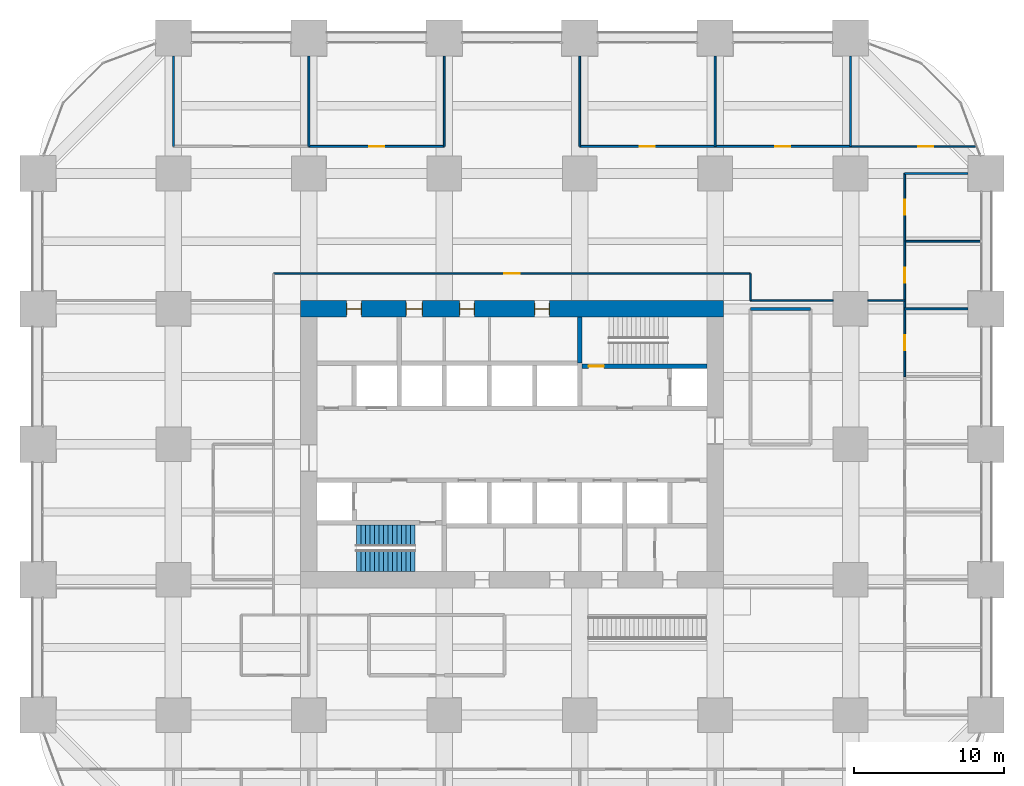
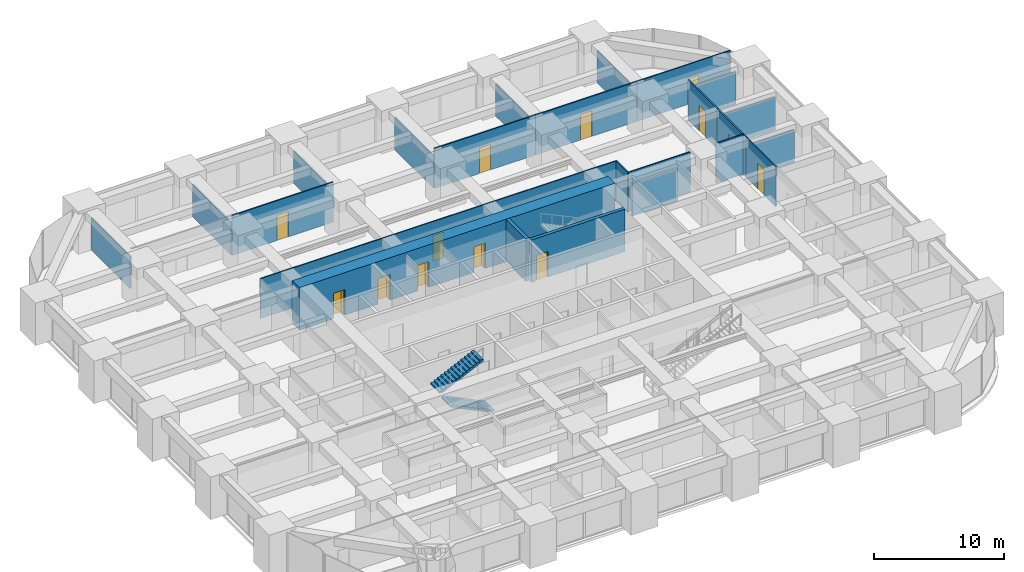
# One storey, part 42 of 45: 24 walls, 13 doors, 2 stair flights, 13 openings, 1 element without a shape of its own.
"""IFC4 building model written with IfcOpenShell, lengths in metres."""

import ifcopenshell
import ifcopenshell.guid

model = None  # the IFC model being written
_history = None  # IfcOwnerHistory: only IFC2X3 demands one
_inside = {}  # id of a spatial element -> (the spatial element, [elements in it])
_under = {}  # id of a project, library or spatial element -> (it, [spatial elements below it])
_declared = {}  # id of a project -> (the project, [libraries it declares])
_typed = {}  # id of a type object -> (the type object, [elements of that type])
_made_of = {}  # id of a material, layer set ... -> (it, [elements and type objects made of it])


def new_model(schema):
    """Start an empty IFC model of exactly this schema.

    Asked for "IFC4X3", IfcOpenShell would pick the latest addendum, in which some entities
    have other attributes; the version numbers below select the first issue.
    IFC2X3 requires an IfcOwnerHistory on every rooted entity: one is made here for all.
    """
    global model, _history
    if schema == "IFC4X3":
        model = ifcopenshell.file(schema_version=(4, 3, 0, 0))
    else:
        model = ifcopenshell.file(schema=schema)
    _inside.clear()
    _under.clear()
    _declared.clear()
    _typed.clear()
    _made_of.clear()
    _history = None
    if model.schema == "IFC2X3":
        org = make("IfcOrganization", Name="unknown")
        user = make(
            "IfcPersonAndOrganization",
            ThePerson=make("IfcPerson", FamilyName="unknown"),
            TheOrganization=org,
        )
        app = make(
            "IfcApplication",
            ApplicationDeveloper=org,
            Version="unknown",
            ApplicationFullName="unknown",
            ApplicationIdentifier="unknown",
        )
        _history = make(
            "IfcOwnerHistory",
            OwningUser=user,
            OwningApplication=app,
            ChangeAction="ADDED",
            CreationDate=0,
        )
    return model


def make(cls, **values):
    """One entity of the class cls with the attributes given. An attribute that is None is left unset."""
    return model.create_entity(
        cls, **{name: value for name, value in values.items() if value is not None}
    )


def rooted(cls, **values):
    """An entity with a GlobalId (a new one), such as an element, a storey or a relation."""
    return make(cls, GlobalId=ifcopenshell.guid.new(), OwnerHistory=_history, **values)


def si_unit(unit_type, name, prefix=None):
    """IfcSIUnit, for example si_unit("LENGTHUNIT", "METRE", prefix="MILLI")."""
    return make("IfcSIUnit", UnitType=unit_type, Prefix=prefix, Name=name)


def assignment(units):
    """IfcUnitAssignment: the units of a project."""
    return None if units is None else make("IfcUnitAssignment", Units=units)


def point(xyz):
    """IfcCartesianPoint."""
    return None if xyz is None else make("IfcCartesianPoint", Coordinates=xyz)


def direction(xyz):
    """IfcDirection."""
    return None if xyz is None else make("IfcDirection", DirectionRatios=xyz)


def frame(location, z_axis=None, x_axis=None):
    """IfcAxis2Placement3D, a coordinate frame: its origin and axes. An axis left out is left unset."""
    return make(
        "IfcAxis2Placement3D",
        Location=point(location),
        Axis=direction(z_axis),
        RefDirection=direction(x_axis),
    )


def frame_2d(location, x_axis=None):
    """IfcAxis2Placement2D, a coordinate frame in the plane: its origin and x axis."""
    return make(
        "IfcAxis2Placement2D", Location=point(location), RefDirection=direction(x_axis)
    )


def origin():
    """The frame at (0, 0, 0) with its axes left unset."""
    return frame((0.0, 0.0, 0.0))


def place(relative_to, where):
    """IfcLocalPlacement: puts the frame where relative to a parent placement (None: the world)."""
    return make(
        "IfcLocalPlacement", PlacementRelTo=relative_to, RelativePlacement=where
    )


def context(
    kind, dimensions, precision=None, world=None, true_north=None, identifier=None
):
    """IfcGeometricRepresentationContext, for example the 3D "Model" context."""
    return make(
        "IfcGeometricRepresentationContext",
        ContextIdentifier=identifier,
        ContextType=kind,
        CoordinateSpaceDimension=dimensions,
        Precision=precision,
        WorldCoordinateSystem=world,
        TrueNorth=true_north,
    )


def subcontext(parent, identifier, kind, view, scale=None):
    """IfcGeometricRepresentationSubContext, for example "Body" below "Model"."""
    return make(
        "IfcGeometricRepresentationSubContext",
        ContextIdentifier=identifier,
        ContextType=kind,
        ParentContext=parent,
        TargetScale=scale,
        TargetView=view,
    )


def project(units=None, contexts=None):
    """IfcProject with its units and contexts."""
    return rooted(
        "IfcProject",
        Name="project",
        RepresentationContexts=contexts,
        UnitsInContext=assignment(units),
    )


def spatial(cls, under=None, at=None, **own):
    """A site, building, storey or space (cls), placed at a placement, below another one or the project."""
    s = rooted(cls, ObjectPlacement=at, **own)
    if under is not None:
        _under.setdefault(under.id(), (under, []))[1].append(s)
    return s


def polyline(points):
    """IfcPolyline through the points."""
    return make("IfcPolyline", Points=[point(p) for p in points])


def profile(cls, at=None, kind="AREA", **sizes):
    """A parametric profile (cls). Its sizes go by their IFC names, for example OverallWidth=200.0."""
    return make(cls, ProfileType=kind, Position=at, **sizes)


def rectangle(**sizes):
    """IfcRectangleProfileDef."""
    return profile("IfcRectangleProfileDef", **sizes)


def outline(outer, holes=None, kind="AREA"):
    """IfcArbitraryClosedProfileDef: a profile drawn as a closed curve; with holes, ...WithVoids."""
    if holes is None:
        return make("IfcArbitraryClosedProfileDef", ProfileType=kind, OuterCurve=outer)
    return make(
        "IfcArbitraryProfileDefWithVoids",
        ProfileType=kind,
        OuterCurve=outer,
        InnerCurves=holes,
    )


def extrude(swept, where, along, depth):
    """IfcExtrudedAreaSolid: the profile swept, set in the frame where, extruded along a direction by depth."""
    return make(
        "IfcExtrudedAreaSolid",
        SweptArea=swept,
        Position=where,
        ExtrudedDirection=direction(along),
        Depth=depth,
    )


def shape(context_of_items, identifier, shape_type, items):
    """IfcShapeRepresentation: the items that make up one representation, for example the "Body"."""
    return make(
        "IfcShapeRepresentation",
        ContextOfItems=context_of_items,
        RepresentationIdentifier=identifier,
        RepresentationType=shape_type,
        Items=items,
    )


def material(Name=None, Category=None):
    """IfcMaterial."""
    return make("IfcMaterial", Name=Name, Category=Category)


def layer(
    of_material, thickness, ventilated=None, Name=None, Category=None, Priority=None
):
    """IfcMaterialLayer: one layer of a wall or slab, of a material (None: an air gap)."""
    return make(
        "IfcMaterialLayer",
        Material=of_material,
        LayerThickness=thickness,
        IsVentilated=ventilated,
        Name=Name,
        Category=Category,
        Priority=Priority,
    )


def layer_set(layers, Name=None):
    """IfcMaterialLayerSet."""
    return make("IfcMaterialLayerSet", MaterialLayers=layers, LayerSetName=Name)


def made_of(thing, what):
    """Note that an element or type object is made of a material, layer set ...; save() writes the relation."""
    if what is not None:
        _made_of.setdefault(what.id(), (what, []))[1].append(thing)
    return thing


def type_object(cls, material=None, **own):
    """A type object (cls), such as IfcWallType, which elements share."""
    return made_of(rooted(cls, **own), material)


def element(
    cls,
    number,
    at=None,
    inside=None,
    cuts=None,
    type_object=None,
    material=None,
    context=None,
    identifier="Body",
    shape_type=None,
    held_by="IfcProductDefinitionShape",
    body=None,
    shapes=None,
    **own,
):
    """One element of the class cls, such as IfcWall. Its Tag is "e" and its number.

    at: its placement. inside: the storey or other place that contains it. cuts: it is an
    opening in that element (IfcRelVoidsElement). A single representation is given by context,
    identifier, shape_type and body (its items); several are given by shapes. held_by: the class
    of the entity that holds the representations. save() writes the other relations.
    """
    e = rooted(cls, Tag="e%d" % number, ObjectPlacement=at, **own)
    if body is not None:
        shapes = [shape(context, identifier, shape_type, body)]
    if shapes is not None:
        e.Representation = make(held_by, Representations=shapes)
    if inside is not None:
        _inside.setdefault(inside.id(), (inside, []))[1].append(e)
    if cuts is not None:
        rooted(
            "IfcRelVoidsElement", RelatingBuildingElement=cuts, RelatedOpeningElement=e
        )
    if type_object is not None:
        _typed.setdefault(type_object.id(), (type_object, []))[1].append(e)
    return made_of(e, material)


def fill(opening, filler):
    """IfcRelFillsElement: the door or window that sits in an opening."""
    return rooted(
        "IfcRelFillsElement",
        RelatingOpeningElement=opening,
        RelatedBuildingElement=filler,
    )


def aggregate(whole, parts):
    """IfcRelAggregates: a whole, such as a stair, and the parts it consists of."""
    return rooted("IfcRelAggregates", RelatingObject=whole, RelatedObjects=parts)


def save(model, path):
    """Write the relations noted so far, then the file.

    IfcRelAggregates (storeys below a building ...), IfcRelContainedInSpatialStructure (elements
    in a storey), IfcRelDefinesByType, IfcRelAssociatesMaterial and IfcRelDeclares: one each for
    every whole, place, type object, material and project.
    """
    for whole, parts in _under.values():
        aggregate(whole, parts)
    for where, things in _inside.values():
        rooted(
            "IfcRelContainedInSpatialStructure",
            RelatedElements=things,
            RelatingStructure=where,
        )
    for kind, things in _typed.values():
        rooted("IfcRelDefinesByType", RelatedObjects=things, RelatingType=kind)
    for what, things in _made_of.values():
        rooted("IfcRelAssociatesMaterial", RelatedObjects=things, RelatingMaterial=what)
    for by, libraries in _declared.values():
        rooted("IfcRelDeclares", RelatingContext=by, RelatedDefinitions=libraries)
    model.write(path)


model = new_model("IFC4")

# Units and contexts
model_context = context("Model", 3, precision=1e-05, world=origin(), true_north=direction((0.0, 1.0)))
body_context = subcontext(model_context, "Body", "Model", "MODEL_VIEW")
ifc_project = project(units=[si_unit("LENGTHUNIT", "METRE"), si_unit("AREAUNIT", "SQUARE_METRE"), si_unit("VOLUMEUNIT", "CUBIC_METRE"), si_unit("PLANEANGLEUNIT", "RADIAN"), si_unit("MASSUNIT", "GRAM", prefix="KILO")], contexts=[model_context])

# Site, building, storey
site_placement = place(None, origin())
site = spatial("IfcSite", under=ifc_project, at=site_placement, CompositionType="ELEMENT")
building_placement = place(site_placement, origin())
building = spatial("IfcBuilding", under=site, at=building_placement, Name="Zorevar Civic Tower", CompositionType="ELEMENT")
storey_placement = place(building_placement, frame((0.0, 0.0, 23.800048828125)))
storey = spatial("IfcBuildingStorey", under=building, at=storey_placement, Name="L05", CompositionType="ELEMENT", Elevation=23.800048828125)

# Wall
ifc_material_1 = material(Name="Concrete blockwork", Category="masonry")
ifc_layer_1 = layer(ifc_material_1, 0.199951171875)
ifc_layer_set_1 = layer_set([ifc_layer_1], Name="Blockwork wall 200")
wall_type_1 = type_object("IfcWallType", Name="Blockwork wall 200", PredefinedType="SOLIDWALL", material=ifc_layer_set_1)
wall_1_placement = place(storey_placement, frame((47.35009765625, 36.0, 0.0), z_axis=(0.0, 0.0, 1.0), x_axis=(1.0, 0.0, 0.0)))
element("IfcWall", 1, at=wall_1_placement, inside=storey, type_object=wall_type_1, Name="Blockwork wall 200 L05", PredefinedType="SOLIDWALL", context=body_context, shape_type="SweptSolid", body=[
    extrude(rectangle(XDim=4.0, YDim=0.199951171875, at=frame_2d((2.0, 0.0))), origin(), (0.0, 0.0, 1.0), 3.050048828125),
])

# Wall, openings, doors
ifc_material_2 = material(Name="Concrete C50/60", Category="concrete")
ifc_layer_2 = layer(ifc_material_2, 1.10009765625)
ifc_layer_set_2 = layer_set([ifc_layer_2], Name="Core wall 1100")
wall_type_2 = type_object("IfcWallType", Name="Core wall 1100", PredefinedType="SHEAR", material=ifc_layer_set_2)
wall_2_placement = place(storey_placement, frame((45.550048828125, 36.0, 0.0), z_axis=(0.0, 0.0, 1.0), x_axis=(-1.0, 0.0, 0.0)))
wall_2 = element("IfcWall", 2, at=wall_2_placement, inside=storey, type_object=wall_type_2, Name="Core wall N L05", PredefinedType="SHEAR", context=body_context, shape_type="SweptSolid", body=[
    extrude(rectangle(XDim=28.10009765625, YDim=1.10009765625, at=frame_2d((14.050048828125, 0.0))), origin(), (0.0, 0.0, 1.0), 4.0),
])
opening_1_placement = place(wall_2_placement, frame((11.550048828125, 0.0, 0.0)))
opening_1 = element("IfcOpeningElement", 3, at=opening_1_placement, cuts=wall_2, Name="Opening L05.07", PredefinedType="OPENING", context=body_context, shape_type="SweptSolid", body=[
    extrude(rectangle(XDim=1.0, YDim=2.39990234375, at=frame_2d((0.5, 1.199951171875))), frame((0.0, 0.56005859375, 0.0), z_axis=(0.0, -1.0, 0.0), x_axis=(1.0, 0.0, 0.0)), (0.0, 0.0, 1.0), 1.1201171875),
])
opening_2_placement = place(wall_2_placement, frame((16.550048828125, 0.0, 0.0)))
opening_2 = element("IfcOpeningElement", 4, at=opening_2_placement, cuts=wall_2, Name="Opening L05.08", PredefinedType="OPENING", context=body_context, shape_type="SweptSolid", body=[
    extrude(rectangle(XDim=1.0, YDim=2.39990234375, at=frame_2d((0.5, 1.199951171875))), frame((0.0, 0.56005859375, 0.0), z_axis=(0.0, -1.0, 0.0), x_axis=(1.0, 0.0, 0.0)), (0.0, 0.0, 1.0), 1.1201171875),
])
opening_3_placement = place(wall_2_placement, frame((20.0, 0.0, 0.0)))
opening_3 = element("IfcOpeningElement", 5, at=opening_3_placement, cuts=wall_2, Name="Opening L05.09", PredefinedType="OPENING", context=body_context, shape_type="SweptSolid", body=[
    extrude(rectangle(XDim=1.10009765625, YDim=2.39990234375, at=frame_2d((0.550048828125, 1.199951171875))), frame((0.0, 0.56005859375, 0.0), z_axis=(0.0, -1.0, 0.0), x_axis=(1.0, 0.0, 0.0)), (0.0, 0.0, 1.0), 1.1201171875),
])
opening_4_placement = place(wall_2_placement, frame((24.050048828125, 0.0, 0.0)))
opening_4 = element("IfcOpeningElement", 6, at=opening_4_placement, cuts=wall_2, Name="Opening L05.10", PredefinedType="OPENING", context=body_context, shape_type="SweptSolid", body=[
    extrude(rectangle(XDim=1.0, YDim=2.39990234375, at=frame_2d((0.5, 1.199951171875))), frame((0.0, 0.56005859375, 0.0), z_axis=(0.0, -1.0, 0.0), x_axis=(1.0, 0.0, 0.0)), (0.0, 0.0, 1.0), 1.1201171875),
])
ifc_material_3 = material(Name="Timber door set", Category="wood")
door_type_1 = type_object("IfcDoorType", Name="Door D1 1000x2400", OperationType="SINGLE_SWING_LEFT", PredefinedType="DOOR", material=ifc_material_3)
door_1_placement = place(opening_1_placement, origin())
door_1 = element("IfcDoor", 7, at=door_1_placement, inside=storey, type_object=door_type_1, Name="Door L05 06", OperationType="SINGLE_SWING_RIGHT", OverallHeight=2.39990234375, OverallWidth=1.0, PredefinedType="DOOR", context=body_context, shape_type="SweptSolid", body=[
    extrude(rectangle(XDim=1.0, YDim=2.39990234375, at=frame_2d((0.5, 1.199951171875))), frame((0.0, 0.02490234375, 0.0), z_axis=(0.0, -1.0, 0.0), x_axis=(1.0, 0.0, 0.0)), (0.0, 0.0, 1.0), 0.050048828125),
    extrude(rectangle(XDim=0.04, YDim=2.39990234375, at=frame_2d((0.02001953125, 1.199951171875))), frame((0.0, 0.39990234375, 0.0), z_axis=(0.0, -1.0, 0.0), x_axis=(1.0, 0.0, 0.0)), (0.0, 0.0, 1.0), 0.800048828125),
    extrude(rectangle(XDim=0.04, YDim=2.39990234375, at=frame_2d((0.97998046875, 1.199951171875))), frame((0.0, 0.39990234375, 0.0), z_axis=(0.0, -1.0, 0.0), x_axis=(1.0, 0.0, 0.0)), (0.0, 0.0, 1.0), 0.800048828125),
    extrude(rectangle(XDim=1.0, YDim=0.04, at=frame_2d((0.5, 2.3798828125))), frame((0.0, 0.39990234375, 0.0), z_axis=(0.0, -1.0, 0.0), x_axis=(1.0, 0.0, 0.0)), (0.0, 0.0, 1.0), 0.800048828125),
])
fill(opening_1, door_1)
door_2_placement = place(opening_2_placement, origin())
door_2 = element("IfcDoor", 8, at=door_2_placement, inside=storey, type_object=door_type_1, Name="Door L05 07", OperationType="SINGLE_SWING_LEFT", OverallHeight=2.39990234375, OverallWidth=1.0, PredefinedType="DOOR", context=body_context, shape_type="SweptSolid", body=[
    extrude(rectangle(XDim=1.0, YDim=2.39990234375, at=frame_2d((0.5, 1.199951171875))), frame((0.0, 0.02490234375, 0.0), z_axis=(0.0, -1.0, 0.0), x_axis=(1.0, 0.0, 0.0)), (0.0, 0.0, 1.0), 0.050048828125),
    extrude(rectangle(XDim=0.04, YDim=2.39990234375, at=frame_2d((0.02001953125, 1.199951171875))), frame((0.0, 0.39990234375, 0.0), z_axis=(0.0, -1.0, 0.0), x_axis=(1.0, 0.0, 0.0)), (0.0, 0.0, 1.0), 0.800048828125),
    extrude(rectangle(XDim=0.04, YDim=2.39990234375, at=frame_2d((0.97998046875, 1.199951171875))), frame((0.0, 0.39990234375, 0.0), z_axis=(0.0, -1.0, 0.0), x_axis=(1.0, 0.0, 0.0)), (0.0, 0.0, 1.0), 0.800048828125),
    extrude(rectangle(XDim=1.0, YDim=0.04, at=frame_2d((0.5, 2.3798828125))), frame((0.0, 0.39990234375, 0.0), z_axis=(0.0, -1.0, 0.0), x_axis=(1.0, 0.0, 0.0)), (0.0, 0.0, 1.0), 0.800048828125),
])
fill(opening_2, door_2)
door_3_placement = place(opening_4_placement, origin())
door_3 = element("IfcDoor", 9, at=door_3_placement, inside=storey, type_object=door_type_1, Name="Door L05 09", OperationType="SINGLE_SWING_LEFT", OverallHeight=2.39990234375, OverallWidth=1.0, PredefinedType="DOOR", context=body_context, shape_type="SweptSolid", body=[
    extrude(rectangle(XDim=1.0, YDim=2.39990234375, at=frame_2d((0.5, 1.199951171875))), frame((0.0, 0.02490234375, 0.0), z_axis=(0.0, -1.0, 0.0), x_axis=(1.0, 0.0, 0.0)), (0.0, 0.0, 1.0), 0.050048828125),
    extrude(rectangle(XDim=0.04, YDim=2.39990234375, at=frame_2d((0.02001953125, 1.199951171875))), frame((0.0, 0.39990234375, 0.0), z_axis=(0.0, -1.0, 0.0), x_axis=(1.0, 0.0, 0.0)), (0.0, 0.0, 1.0), 0.800048828125),
    extrude(rectangle(XDim=0.04, YDim=2.39990234375, at=frame_2d((0.97998046875, 1.199951171875))), frame((0.0, 0.39990234375, 0.0), z_axis=(0.0, -1.0, 0.0), x_axis=(1.0, 0.0, 0.0)), (0.0, 0.0, 1.0), 0.800048828125),
    extrude(rectangle(XDim=1.0, YDim=0.04, at=frame_2d((0.5, 2.3798828125))), frame((0.0, 0.39990234375, 0.0), z_axis=(0.0, -1.0, 0.0), x_axis=(1.0, 0.0, 0.0)), (0.0, 0.0, 1.0), 0.800048828125),
])
fill(opening_4, door_3)
ifc_material_4 = material(Name="Timber door set", Category="wood")
door_type_2 = type_object("IfcDoorType", Name="Door D5 1100x2400", OperationType="SINGLE_SWING_LEFT", PredefinedType="DOOR", material=ifc_material_4)
door_4_placement = place(opening_3_placement, origin())
door_4 = element("IfcDoor", 10, at=door_4_placement, inside=storey, type_object=door_type_2, Name="Door L05 08", OperationType="SINGLE_SWING_LEFT", OverallHeight=2.39990234375, OverallWidth=1.10009765625, PredefinedType="DOOR", context=body_context, shape_type="SweptSolid", body=[
    extrude(rectangle(XDim=1.10009765625, YDim=2.39990234375, at=frame_2d((0.550048828125, 1.199951171875))), frame((0.0, 0.02490234375, 0.0), z_axis=(0.0, -1.0, 0.0), x_axis=(1.0, 0.0, 0.0)), (0.0, 0.0, 1.0), 0.050048828125),
    extrude(rectangle(XDim=0.04, YDim=2.39990234375, at=frame_2d((0.02001953125, 1.199951171875))), frame((0.0, 0.43994140625, 0.0), z_axis=(0.0, -1.0, 0.0), x_axis=(1.0, 0.0, 0.0)), (0.0, 0.0, 1.0), 0.880126953125),
    extrude(rectangle(XDim=0.04, YDim=2.39990234375, at=frame_2d((1.080078125, 1.199951171875))), frame((0.0, 0.43994140625, 0.0), z_axis=(0.0, -1.0, 0.0), x_axis=(1.0, 0.0, 0.0)), (0.0, 0.0, 1.0), 0.880126953125),
    extrude(rectangle(XDim=1.10009765625, YDim=0.04, at=frame_2d((0.550048828125, 2.3798828125))), frame((0.0, 0.43994140625, 0.0), z_axis=(0.0, -1.0, 0.0), x_axis=(1.0, 0.0, 0.0)), (0.0, 0.0, 1.0), 0.880126953125),
])
fill(opening_3, door_4)

# Walls
ifc_material_5 = material(Name="Laminated glass in black aluminium frame", Category="aluminium")
ifc_layer_3 = layer(ifc_material_5, 0.10009765625)
ifc_layer_set_3 = layer_set([ifc_layer_3], Name="Glazed partition 100")
wall_type_3 = type_object("IfcWallType", Name="Glazed partition 100", PredefinedType="PARTITIONING", material=ifc_layer_set_3)
wall_3_placement = place(storey_placement, frame((47.35009765625, 36.550048828125, 0.0), z_axis=(0.0, 0.0, 1.0), x_axis=(1.0, 0.0, 0.0)))
element("IfcWall", 11, at=wall_3_placement, inside=storey, type_object=wall_type_3, Name="Glazed partition 100 L05", PredefinedType="PARTITIONING", context=body_context, shape_type="SweptSolid", body=[
    extrude(rectangle(XDim=5.5, YDim=0.10009765625, at=frame_2d((2.75, 0.0))), origin(), (0.0, 0.0, 1.0), 3.75),
])
wall_4_placement = place(storey_placement, frame((55.14990234375, 36.550048828125, 0.0), z_axis=(0.0, 0.0, 1.0), x_axis=(1.0, 0.0, 0.0)))
element("IfcWall", 12, at=wall_4_placement, inside=storey, type_object=wall_type_3, Name="Glazed partition 100 L05", PredefinedType="PARTITIONING", context=body_context, shape_type="SweptSolid", body=[
    extrude(rectangle(XDim=2.460205078125, YDim=0.10009765625, at=frame_2d((1.22998046875, 0.0))), origin(), (0.0, 0.0, 1.0), 3.75),
])

# Wall, opening, door
wall_5_placement = place(storey_placement, frame((15.64990234375, 38.35009765625, 0.0), z_axis=(0.0, 0.0, 1.0), x_axis=(1.0, 0.0, 0.0)))
wall_5 = element("IfcWall", 13, at=wall_5_placement, inside=storey, type_object=wall_type_3, Name="Glazed partition 100 L05", PredefinedType="PARTITIONING", context=body_context, shape_type="SweptSolid", body=[
    extrude(rectangle(XDim=31.7001953125, YDim=0.10009765625, at=frame_2d((15.85009765625, 0.0))), origin(), (0.0, 0.0, 1.0), 3.75),
])
opening_5_placement = place(wall_5_placement, frame((15.35009765625, 0.0, 0.0)))
opening_5 = element("IfcOpeningElement", 14, at=opening_5_placement, cuts=wall_5, Name="Opening L05.29", PredefinedType="OPENING", context=body_context, shape_type="SweptSolid", body=[
    extrude(rectangle(XDim=1.0, YDim=2.39990234375, at=frame_2d((0.5, 1.199951171875))), frame((0.0, 0.06005859375, 0.0), z_axis=(0.0, -1.0, 0.0), x_axis=(1.0, 0.0, 0.0)), (0.0, 0.0, 1.0), 0.1201171875),
])
ifc_material_6 = material(Name="Timber door set", Category="wood")
door_type_3 = type_object("IfcDoorType", Name="Glazed door GD1 1000x2400", OperationType="SINGLE_SWING_LEFT", PredefinedType="DOOR", material=ifc_material_6)
door_5_placement = place(opening_5_placement, origin())
door_5 = element("IfcDoor", 15, at=door_5_placement, inside=storey, type_object=door_type_3, Name="Door L05 D1", OperationType="SINGLE_SWING_LEFT", OverallHeight=2.39990234375, OverallWidth=1.0, PredefinedType="DOOR", context=body_context, shape_type="SweptSolid", body=[
    extrude(rectangle(XDim=1.0, YDim=2.39990234375, at=frame_2d((0.5, 1.199951171875))), frame((0.0, 0.02001953125, 0.0), z_axis=(0.0, -1.0, 0.0), x_axis=(1.0, 0.0, 0.0)), (0.0, 0.0, 1.0), 0.0400390625),
])
fill(opening_5, door_5)

wall_6_placement = place(storey_placement, frame((54.0, 46.800048828125, 0.0), z_axis=(0.0, 0.0, 1.0), x_axis=(1.0, 0.0, 0.0)))
wall_6 = element("IfcWall", 16, at=wall_6_placement, inside=storey, type_object=wall_type_3, Name="Glazed partition 100 L05", PredefinedType="PARTITIONING", context=body_context, shape_type="SweptSolid", body=[
    extrude(rectangle(XDim=8.359375, YDim=0.10009765625, at=frame_2d((4.1796875, 0.0))), origin(), (0.0, 0.0, 1.0), 3.75),
])
opening_6_placement = place(wall_6_placement, frame((4.5, 0.0, 0.0)))
opening_6 = element("IfcOpeningElement", 17, at=opening_6_placement, cuts=wall_6, Name="Opening L05.34", PredefinedType="OPENING", context=body_context, shape_type="SweptSolid", body=[
    extrude(rectangle(XDim=1.0, YDim=2.39990234375, at=frame_2d((0.5, 1.199951171875))), frame((0.0, 0.06005859375, 0.0), z_axis=(0.0, -1.0, 0.0), x_axis=(1.0, 0.0, 0.0)), (0.0, 0.0, 1.0), 0.1201171875),
])
door_6_placement = place(opening_6_placement, origin())
door_6 = element("IfcDoor", 18, at=door_6_placement, inside=storey, type_object=door_type_3, Name="Door L05 D1", OperationType="SINGLE_SWING_RIGHT", OverallHeight=2.39990234375, OverallWidth=1.0, PredefinedType="DOOR", context=body_context, shape_type="SweptSolid", body=[
    extrude(rectangle(XDim=1.0, YDim=2.39990234375, at=frame_2d((0.5, 1.199951171875))), frame((0.0, 0.02001953125, 0.0), z_axis=(0.0, -1.0, 0.0), x_axis=(1.0, 0.0, 0.0)), (0.0, 0.0, 1.0), 0.0400390625),
])
fill(opening_6, door_6)

# Wall
wall_7_placement = place(storey_placement, frame((47.35009765625, 36.550048828125, 0.0), z_axis=(0.0, 0.0, 1.0), x_axis=(0.0, 1.0, 0.0)))
element("IfcWall", 19, at=wall_7_placement, inside=storey, type_object=wall_type_3, Name="Glazed partition 100 L05", PredefinedType="PARTITIONING", context=body_context, shape_type="SweptSolid", body=[
    extrude(rectangle(XDim=1.800048828125, YDim=0.10009765625, at=frame_2d((0.89990234375, 0.0))), origin(), (0.0, 0.0, 1.0), 3.75),
])

# Wall, opening, door
ifc_material_7 = material(Name="Concrete C40/50", Category="concrete")
ifc_layer_4 = layer(ifc_material_7, 0.300048828125)
ifc_layer_set_4 = layer_set([ifc_layer_4], Name="Inner core wall 300")
wall_type_4 = type_object("IfcWallType", Name="Inner core wall 300", PredefinedType="SHEAR", material=ifc_layer_set_4)
wall_8_placement = place(storey_placement, frame((36.14990234375, 32.199951171875, 0.0), z_axis=(0.0, 0.0, 1.0), x_axis=(1.0, 0.0, 0.0)))
wall_8 = element("IfcWall", 20, at=wall_8_placement, inside=storey, type_object=wall_type_4, Name="Inner core wall N00 L05", PredefinedType="SHEAR", context=body_context, shape_type="SweptSolid", body=[
    extrude(rectangle(XDim=8.300048828125, YDim=0.300048828125, at=frame_2d((4.14990234375, 0.0))), origin(), (0.0, 0.0, 1.0), 4.0),
])
opening_7_placement = place(wall_8_placement, frame((0.449951171875, 0.0, 0.0)))
opening_7 = element("IfcOpeningElement", 21, at=opening_7_placement, cuts=wall_8, Name="Opening L05.12", PredefinedType="OPENING", context=body_context, shape_type="SweptSolid", body=[
    extrude(rectangle(XDim=1.0, YDim=2.39990234375, at=frame_2d((0.5, 1.199951171875))), frame((0.0, 0.159912109375, 0.0), z_axis=(0.0, -1.0, 0.0), x_axis=(1.0, 0.0, 0.0)), (0.0, 0.0, 1.0), 0.320068359375),
])
ifc_material_8 = material(Name="Steel door set", Category="steel")
door_type_4 = type_object("IfcDoorType", Name="Fire door FD1 1000x2400", OperationType="SINGLE_SWING_LEFT", PredefinedType="DOOR", material=ifc_material_8)
door_7_placement = place(opening_7_placement, origin())
door_7 = element("IfcDoor", 22, at=door_7_placement, inside=storey, type_object=door_type_4, Name="Door L05 11", OperationType="SINGLE_SWING_RIGHT", OverallHeight=2.39990234375, OverallWidth=1.0, PredefinedType="DOOR", context=body_context, shape_type="SweptSolid", body=[
    extrude(rectangle(XDim=1.0, YDim=2.39990234375, at=frame_2d((0.5, 1.199951171875))), frame((0.0, 0.030029296875, 0.0), z_axis=(0.0, -1.0, 0.0), x_axis=(1.0, 0.0, 0.0)), (0.0, 0.0, 1.0), 0.06005859375),
])
fill(opening_7, door_7)

# Walls
wall_9_placement = place(storey_placement, frame((36.0, 32.39990234375, 0.0), z_axis=(0.0, 0.0, 1.0), x_axis=(0.0, 1.0, 0.0)))
element("IfcWall", 23, at=wall_9_placement, inside=storey, type_object=wall_type_4, Name="Inner core wall N01 L05", PredefinedType="SHEAR", context=body_context, shape_type="SweptSolid", body=[
    extrude(rectangle(XDim=3.050048828125, YDim=0.300048828125, at=frame_2d((1.52490234375, 0.0))), origin(), (0.0, 0.0, 1.0), 4.0),
])
ifc_material_9 = material(Name="Gypsum board on steel studs", Category="steel")
ifc_layer_5 = layer(ifc_material_9, 0.1201171875)
ifc_layer_set_5 = layer_set([ifc_layer_5], Name="Partition 120")
wall_type_5 = type_object("IfcWallType", Name="Partition 120", PredefinedType="PARTITIONING", material=ifc_layer_set_5)
wall_10_placement = place(storey_placement, frame((57.60009765625, 36.0, 0.0), z_axis=(0.0, 0.0, 1.0), x_axis=(1.0, 0.0, 0.0)))
element("IfcWall", 24, at=wall_10_placement, inside=storey, type_object=wall_type_5, Name="Partition 120 L05", PredefinedType="PARTITIONING", context=body_context, shape_type="SweptSolid", body=[
    extrude(rectangle(XDim=4.199951171875, YDim=0.1201171875, at=frame_2d((2.10009765625, 0.0))), origin(), (0.0, 0.0, 1.0), 3.050048828125),
])
wall_11_placement = place(storey_placement, frame((57.60009765625, 40.5, 0.0), z_axis=(0.0, 0.0, 1.0), x_axis=(1.0, 0.0, 0.0)))
element("IfcWall", 25, at=wall_11_placement, inside=storey, type_object=wall_type_5, Name="Partition 120 L05", PredefinedType="PARTITIONING", context=body_context, shape_type="SweptSolid", body=[
    extrude(rectangle(XDim=5.08984375, YDim=0.1201171875, at=frame_2d((2.544921875, 0.0))), origin(), (0.0, 0.0, 1.0), 3.099853515625),
])
wall_12_placement = place(storey_placement, frame((57.60009765625, 45.0, 0.0), z_axis=(0.0, 0.0, 1.0), x_axis=(1.0, 0.0, 0.0)))
element("IfcWall", 26, at=wall_12_placement, inside=storey, type_object=wall_type_5, Name="Partition 120 L05", PredefinedType="PARTITIONING", context=body_context, shape_type="SweptSolid", body=[
    extrude(rectangle(XDim=4.199951171875, YDim=0.1201171875, at=frame_2d((2.10009765625, 0.0))), origin(), (0.0, 0.0, 1.0), 3.050048828125),
])

# Wall, opening, door
wall_13_placement = place(storey_placement, frame((18.0, 46.800048828125, 0.0), z_axis=(0.0, 0.0, 1.0), x_axis=(1.0, 0.0, 0.0)))
wall_13 = element("IfcWall", 27, at=wall_13_placement, inside=storey, type_object=wall_type_5, Name="Partition 120 L05", PredefinedType="PARTITIONING", context=body_context, shape_type="SweptSolid", body=[
    extrude(rectangle(XDim=9.0, YDim=0.1201171875, at=frame_2d((4.5, 0.0))), origin(), (0.0, 0.0, 1.0), 3.75),
])
opening_8_placement = place(wall_13_placement, frame((4.0, 0.0, 0.0)))
opening_8 = element("IfcOpeningElement", 28, at=opening_8_placement, cuts=wall_13, Name="Opening L05.31", PredefinedType="OPENING", context=body_context, shape_type="SweptSolid", body=[
    extrude(rectangle(XDim=1.0, YDim=2.39990234375, at=frame_2d((0.5, 1.199951171875))), frame((0.0, 0.070068359375, 0.0), z_axis=(0.0, -1.0, 0.0), x_axis=(1.0, 0.0, 0.0)), (0.0, 0.0, 1.0), 0.14013671875),
])
door_8_placement = place(opening_8_placement, origin())
door_8 = element("IfcDoor", 29, at=door_8_placement, inside=storey, type_object=door_type_1, Name="Door L05 D1", OperationType="SINGLE_SWING_LEFT", OverallHeight=2.39990234375, OverallWidth=1.0, PredefinedType="DOOR", context=body_context, shape_type="SweptSolid", body=[
    extrude(rectangle(XDim=1.0, YDim=2.39990234375, at=frame_2d((0.5, 1.199951171875))), frame((0.0, 0.02490234375, 0.0), z_axis=(0.0, -1.0, 0.0), x_axis=(1.0, 0.0, 0.0)), (0.0, 0.0, 1.0), 0.050048828125),
])
fill(opening_8, door_8)

wall_14_placement = place(storey_placement, frame((36.0, 46.800048828125, 0.0), z_axis=(0.0, 0.0, 1.0), x_axis=(1.0, 0.0, 0.0)))
wall_14 = element("IfcWall", 30, at=wall_14_placement, inside=storey, type_object=wall_type_5, Name="Partition 120 L05", PredefinedType="PARTITIONING", context=body_context, shape_type="SweptSolid", body=[
    extrude(rectangle(XDim=9.0, YDim=0.1201171875, at=frame_2d((4.5, 0.0))), origin(), (0.0, 0.0, 1.0), 3.75),
])
opening_9_placement = place(wall_14_placement, frame((4.0, 0.0, 0.0)))
opening_9 = element("IfcOpeningElement", 31, at=opening_9_placement, cuts=wall_14, Name="Opening L05.32", PredefinedType="OPENING", context=body_context, shape_type="SweptSolid", body=[
    extrude(rectangle(XDim=1.0, YDim=2.39990234375, at=frame_2d((0.5, 1.199951171875))), frame((0.0, 0.070068359375, 0.0), z_axis=(0.0, -1.0, 0.0), x_axis=(1.0, 0.0, 0.0)), (0.0, 0.0, 1.0), 0.14013671875),
])
door_9_placement = place(opening_9_placement, origin())
door_9 = element("IfcDoor", 32, at=door_9_placement, inside=storey, type_object=door_type_1, Name="Door L05 D1", OperationType="SINGLE_SWING_RIGHT", OverallHeight=2.39990234375, OverallWidth=1.0, PredefinedType="DOOR", context=body_context, shape_type="SweptSolid", body=[
    extrude(rectangle(XDim=1.0, YDim=2.39990234375, at=frame_2d((0.5, 1.199951171875))), frame((0.0, 0.02490234375, 0.0), z_axis=(0.0, -1.0, 0.0), x_axis=(1.0, 0.0, 0.0)), (0.0, 0.0, 1.0), 0.050048828125),
])
fill(opening_9, door_9)

wall_15_placement = place(storey_placement, frame((45.0, 46.800048828125, 0.0), z_axis=(0.0, 0.0, 1.0), x_axis=(1.0, 0.0, 0.0)))
wall_15 = element("IfcWall", 33, at=wall_15_placement, inside=storey, type_object=wall_type_5, Name="Partition 120 L05", PredefinedType="PARTITIONING", context=body_context, shape_type="SweptSolid", body=[
    extrude(rectangle(XDim=9.0, YDim=0.1201171875, at=frame_2d((4.5, 0.0))), origin(), (0.0, 0.0, 1.0), 3.75),
])
opening_10_placement = place(wall_15_placement, frame((4.0, 0.0, 0.0)))
opening_10 = element("IfcOpeningElement", 34, at=opening_10_placement, cuts=wall_15, Name="Opening L05.33", PredefinedType="OPENING", context=body_context, shape_type="SweptSolid", body=[
    extrude(rectangle(XDim=1.0, YDim=2.39990234375, at=frame_2d((0.5, 1.199951171875))), frame((0.0, 0.070068359375, 0.0), z_axis=(0.0, -1.0, 0.0), x_axis=(1.0, 0.0, 0.0)), (0.0, 0.0, 1.0), 0.14013671875),
])
door_10_placement = place(opening_10_placement, origin())
door_10 = element("IfcDoor", 35, at=door_10_placement, inside=storey, type_object=door_type_1, Name="Door L05 D1", OperationType="SINGLE_SWING_RIGHT", OverallHeight=2.39990234375, OverallWidth=1.0, PredefinedType="DOOR", context=body_context, shape_type="SweptSolid", body=[
    extrude(rectangle(XDim=1.0, YDim=2.39990234375, at=frame_2d((0.5, 1.199951171875))), frame((0.0, 0.02490234375, 0.0), z_axis=(0.0, -1.0, 0.0), x_axis=(1.0, 0.0, 0.0)), (0.0, 0.0, 1.0), 0.050048828125),
])
fill(opening_10, door_10)

# Walls
for number, where, z_axis, x_axis, name in (
    (36, (9.0, 46.800048828125, 0.0), (0.0, 0.0, 1.0), (0.0, 1.0, 0.0), "Partition 120 L05"),
    (37, (18.0, 46.800048828125, 0.0), (0.0, 0.0, 1.0), (0.0, 1.0, 0.0), "Partition 120 L05"),
    (38, (27.0, 46.800048828125, 0.0), (0.0, 0.0, 1.0), (0.0, 1.0, 0.0), "Partition 120 L05"),
    (39, (36.0, 46.800048828125, 0.0), (0.0, 0.0, 1.0), (0.0, 1.0, 0.0), "Partition 120 L05"),
    (40, (45.0, 46.800048828125, 0.0), (0.0, 0.0, 1.0), (0.0, 1.0, 0.0), "Partition 120 L05"),
    (41, (54.0, 46.800048828125, 0.0), (0.0, 0.0, 1.0), (0.0, 1.0, 0.0), "Partition 120 L05"),
):
    element("IfcWall", number, at=place(storey_placement, frame(where, z_axis=z_axis, x_axis=x_axis)), inside=storey, type_object=wall_type_5, Name=name, PredefinedType="PARTITIONING", context=body_context, shape_type="SweptSolid", body=[
        extrude(rectangle(XDim=6.0, YDim=0.1201171875, at=frame_2d((3.0, 0.0))), origin(), (0.0, 0.0, 1.0), 3.050048828125),
    ])

# Wall, opening, door
wall_16_placement = place(storey_placement, frame((57.60009765625, 31.5, 0.0), z_axis=(0.0, 0.0, 1.0), x_axis=(0.0, 1.0, 0.0)))
wall_16 = element("IfcWall", 42, at=wall_16_placement, inside=storey, type_object=wall_type_5, Name="Partition 120 L05", PredefinedType="PARTITIONING", context=body_context, shape_type="SweptSolid", body=[
    extrude(rectangle(XDim=4.5, YDim=0.1201171875, at=frame_2d((2.25, 0.0))), origin(), (0.0, 0.0, 1.0), 3.75),
])
opening_11_placement = place(wall_16_placement, frame((1.75, 0.0, 0.0)))
opening_11 = element("IfcOpeningElement", 43, at=opening_11_placement, cuts=wall_16, Name="Opening L05.44", PredefinedType="OPENING", context=body_context, shape_type="SweptSolid", body=[
    extrude(rectangle(XDim=1.0, YDim=2.39990234375, at=frame_2d((0.5, 1.199951171875))), frame((0.0, 0.070068359375, 0.0), z_axis=(0.0, -1.0, 0.0), x_axis=(1.0, 0.0, 0.0)), (0.0, 0.0, 1.0), 0.14013671875),
])
door_11_placement = place(opening_11_placement, origin())
door_11 = element("IfcDoor", 44, at=door_11_placement, inside=storey, type_object=door_type_1, Name="Door L05 D1", OperationType="SINGLE_SWING_LEFT", OverallHeight=2.39990234375, OverallWidth=1.0, PredefinedType="DOOR", context=body_context, shape_type="SweptSolid", body=[
    extrude(rectangle(XDim=1.0, YDim=2.39990234375, at=frame_2d((0.5, 1.199951171875))), frame((0.0, 0.02490234375, 0.0), z_axis=(0.0, -1.0, 0.0), x_axis=(1.0, 0.0, 0.0)), (0.0, 0.0, 1.0), 0.050048828125),
])
fill(opening_11, door_11)

wall_17_placement = place(storey_placement, frame((57.60009765625, 36.0, 0.0), z_axis=(0.0, 0.0, 1.0), x_axis=(0.0, 1.0, 0.0)))
wall_17 = element("IfcWall", 45, at=wall_17_placement, inside=storey, type_object=wall_type_5, Name="Partition 120 L05", PredefinedType="PARTITIONING", context=body_context, shape_type="SweptSolid", body=[
    extrude(rectangle(XDim=4.5, YDim=0.1201171875, at=frame_2d((2.25, 0.0))), origin(), (0.0, 0.0, 1.0), 3.75),
])
opening_12_placement = place(wall_17_placement, frame((1.75, 0.0, 0.0)))
opening_12 = element("IfcOpeningElement", 46, at=opening_12_placement, cuts=wall_17, Name="Opening L05.45", PredefinedType="OPENING", context=body_context, shape_type="SweptSolid", body=[
    extrude(rectangle(XDim=1.0, YDim=2.39990234375, at=frame_2d((0.5, 1.199951171875))), frame((0.0, 0.070068359375, 0.0), z_axis=(0.0, -1.0, 0.0), x_axis=(1.0, 0.0, 0.0)), (0.0, 0.0, 1.0), 0.14013671875),
])
door_12_placement = place(opening_12_placement, origin())
door_12 = element("IfcDoor", 47, at=door_12_placement, inside=storey, type_object=door_type_1, Name="Door L05 D1", OperationType="SINGLE_SWING_RIGHT", OverallHeight=2.39990234375, OverallWidth=1.0, PredefinedType="DOOR", context=body_context, shape_type="SweptSolid", body=[
    extrude(rectangle(XDim=1.0, YDim=2.39990234375, at=frame_2d((0.5, 1.199951171875))), frame((0.0, 0.02490234375, 0.0), z_axis=(0.0, -1.0, 0.0), x_axis=(1.0, 0.0, 0.0)), (0.0, 0.0, 1.0), 0.050048828125),
])
fill(opening_12, door_12)

wall_18_placement = place(storey_placement, frame((57.60009765625, 40.5, 0.0), z_axis=(0.0, 0.0, 1.0), x_axis=(0.0, 1.0, 0.0)))
wall_18 = element("IfcWall", 48, at=wall_18_placement, inside=storey, type_object=wall_type_5, Name="Partition 120 L05", PredefinedType="PARTITIONING", context=body_context, shape_type="SweptSolid", body=[
    extrude(rectangle(XDim=4.5, YDim=0.1201171875, at=frame_2d((2.25, 0.0))), origin(), (0.0, 0.0, 1.0), 3.75),
])
opening_13_placement = place(wall_18_placement, frame((1.75, 0.0, 0.0)))
opening_13 = element("IfcOpeningElement", 49, at=opening_13_placement, cuts=wall_18, Name="Opening L05.46", PredefinedType="OPENING", context=body_context, shape_type="SweptSolid", body=[
    extrude(rectangle(XDim=1.0, YDim=2.39990234375, at=frame_2d((0.5, 1.199951171875))), frame((0.0, 0.070068359375, 0.0), z_axis=(0.0, -1.0, 0.0), x_axis=(1.0, 0.0, 0.0)), (0.0, 0.0, 1.0), 0.14013671875),
])
door_13_placement = place(opening_13_placement, origin())
door_13 = element("IfcDoor", 50, at=door_13_placement, inside=storey, type_object=door_type_1, Name="Door L05 D1", OperationType="SINGLE_SWING_LEFT", OverallHeight=2.39990234375, OverallWidth=1.0, PredefinedType="DOOR", context=body_context, shape_type="SweptSolid", body=[
    extrude(rectangle(XDim=1.0, YDim=2.39990234375, at=frame_2d((0.5, 1.199951171875))), frame((0.0, 0.02490234375, 0.0), z_axis=(0.0, -1.0, 0.0), x_axis=(1.0, 0.0, 0.0)), (0.0, 0.0, 1.0), 0.050048828125),
])
fill(opening_13, door_13)

# Stair, stair flights
ifc_material_10 = material(Name="Precast concrete C40/50", Category="concrete")
stair_type = type_object("IfcStairType", Name="Stair ST 28R", PredefinedType="HALF_TURN_STAIR", material=ifc_material_10)
stair_placement = place(storey_placement, origin())
stair = element("IfcStair", 51, at=stair_placement, inside=storey, type_object=stair_type, Name="Stair ST1 L05", PredefinedType="HALF_TURN_STAIR")
ifc_material_11 = material(Name="Precast concrete C40/50", Category="concrete")
stair_flight_type = type_object("IfcStairFlightType", Name="Stair flight", PredefinedType="STRAIGHT", material=ifc_material_11)
stair_flight_1_placement = place(storey_placement, frame((25.050048828125, 19.262451171875, 0.0), z_axis=(0.0, 0.0, 1.0), x_axis=(-1.0, 0.0, 0.0)))
stair_flight_1 = element("IfcStairFlight", 52, at=stair_flight_1_placement, type_object=stair_flight_type, Name="ST1 flight 1", NumberOfRisers=14, NumberOfTreads=13, PredefinedType="STRAIGHT", RiserHeight=0.142857143, TreadLength=0.3, context=body_context, shape_type="SweptSolid", body=[
    extrude(outline(polyline([(0.0, 0.0), (0.0, 0.142822265625), (0.300048828125, 0.142822265625), (0.300048828125, 0.28564453125), (0.60009765625, 0.28564453125), (0.60009765625, 0.428466796875), (0.89990234375, 0.428466796875), (0.89990234375, 0.571533203125), (1.199951171875, 0.571533203125), (1.199951171875, 0.71435546875), (1.5, 0.71435546875), (1.5, 0.857177734375), (1.800048828125, 0.857177734375), (1.800048828125, 1.0), (2.10009765625, 1.0), (2.10009765625, 1.142822265625), (2.39990234375, 1.142822265625), (2.39990234375, 1.28564453125), (2.699951171875, 1.28564453125), (2.699951171875, 1.428466796875), (3.0, 1.428466796875), (3.0, 1.571533203125), (3.300048828125, 1.571533203125), (3.300048828125, 1.71435546875), (3.60009765625, 1.71435546875), (3.60009765625, 1.857177734375), (3.89990234375, 1.857177734375), (3.89990234375, 2.0), (3.89990234375, 1.691162109375), (0.3486328125, 0.0), (0.0, 0.0)])), frame((0.0, 0.71240234375, 0.0), z_axis=(0.0, -1.0, 0.0), x_axis=(1.0, 0.0, 0.0)), (0.0, 0.0, 1.0), 1.425048828125),
])
stair_flight_2_placement = place(storey_placement, frame((21.14990234375, 20.9375, 2.0), z_axis=(0.0, 0.0, 1.0), x_axis=(1.0, 0.0, 0.0)))
stair_flight_2 = element("IfcStairFlight", 53, at=stair_flight_2_placement, type_object=stair_flight_type, Name="ST1 flight 2", NumberOfRisers=14, NumberOfTreads=13, PredefinedType="STRAIGHT", RiserHeight=0.142857143, TreadLength=0.3, context=body_context, shape_type="SweptSolid", body=[
    extrude(outline(polyline([(0.0, 0.0), (0.0, 0.142822265625), (0.300048828125, 0.142822265625), (0.300048828125, 0.28564453125), (0.60009765625, 0.28564453125), (0.60009765625, 0.428466796875), (0.89990234375, 0.428466796875), (0.89990234375, 0.571533203125), (1.199951171875, 0.571533203125), (1.199951171875, 0.71435546875), (1.5, 0.71435546875), (1.5, 0.857177734375), (1.800048828125, 0.857177734375), (1.800048828125, 1.0), (2.10009765625, 1.0), (2.10009765625, 1.142822265625), (2.39990234375, 1.142822265625), (2.39990234375, 1.28564453125), (2.699951171875, 1.28564453125), (2.699951171875, 1.428466796875), (3.0, 1.428466796875), (3.0, 1.571533203125), (3.300048828125, 1.571533203125), (3.300048828125, 1.71435546875), (3.60009765625, 1.71435546875), (3.60009765625, 1.857177734375), (3.89990234375, 1.857177734375), (3.89990234375, 2.0), (3.89990234375, 1.691162109375), (0.3486328125, 0.0), (0.0, 0.0)])), frame((0.0, 0.71240234375, 0.0), z_axis=(0.0, -1.0, 0.0), x_axis=(1.0, 0.0, 0.0)), (0.0, 0.0, 1.0), 1.425048828125),
])
aggregate(stair, [stair_flight_1, stair_flight_2])

save(model, "model.ifc")
